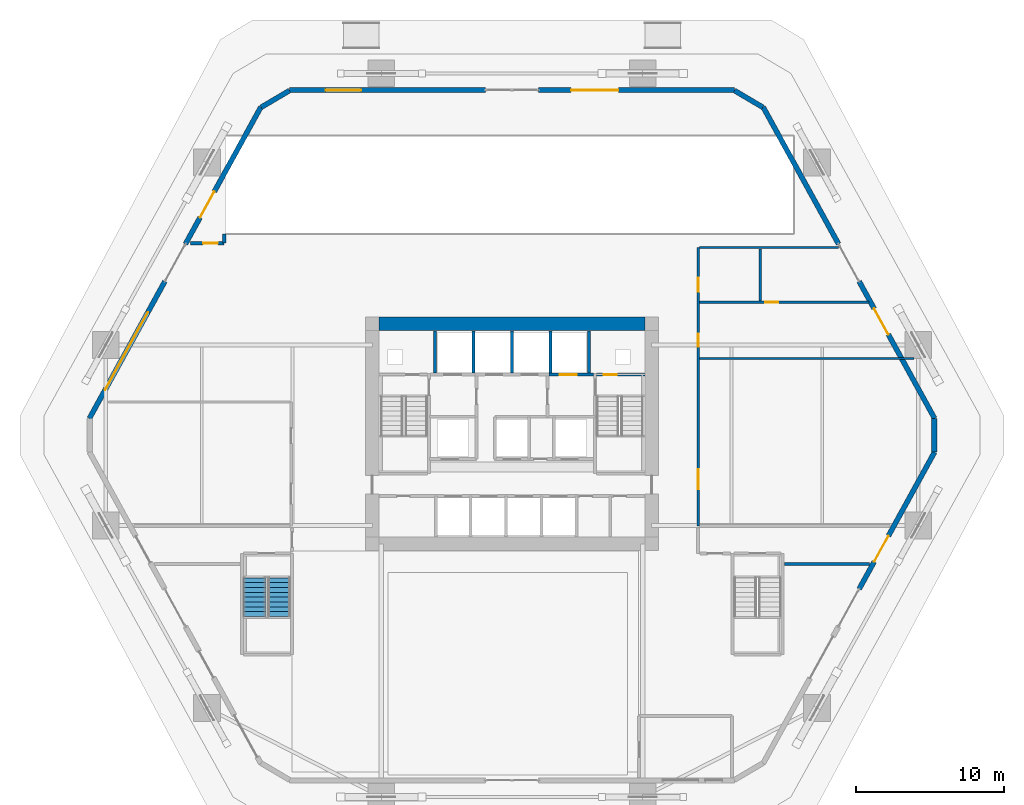
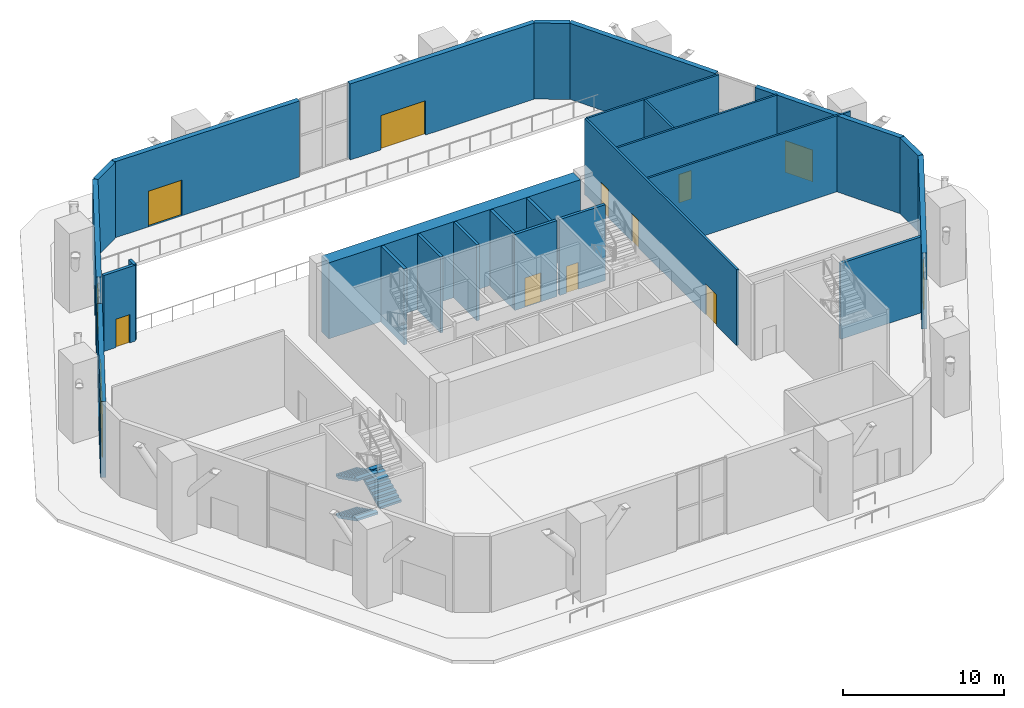
# One storey, part 17 of 22: 26 walls, 13 doors, 3 stair flights, 13 openings, 1 element without a shape of its own.
"""IFC4 building model written with IfcOpenShell, lengths in metres."""

import ifcopenshell
import ifcopenshell.guid

model = None  # the IFC model being written
_history = None  # IfcOwnerHistory: only IFC2X3 demands one
_inside = {}  # id of a spatial element -> (the spatial element, [elements in it])
_under = {}  # id of a project, library or spatial element -> (it, [spatial elements below it])
_declared = {}  # id of a project -> (the project, [libraries it declares])
_typed = {}  # id of a type object -> (the type object, [elements of that type])
_made_of = {}  # id of a material, layer set ... -> (it, [elements and type objects made of it])


def new_model(schema):
    """Start an empty IFC model of exactly this schema.

    Asked for "IFC4X3", IfcOpenShell would pick the latest addendum, in which some entities
    have other attributes; the version numbers below select the first issue.
    IFC2X3 requires an IfcOwnerHistory on every rooted entity: one is made here for all.
    """
    global model, _history
    if schema == "IFC4X3":
        model = ifcopenshell.file(schema_version=(4, 3, 0, 0))
    else:
        model = ifcopenshell.file(schema=schema)
    _inside.clear()
    _under.clear()
    _declared.clear()
    _typed.clear()
    _made_of.clear()
    _history = None
    if model.schema == "IFC2X3":
        org = make("IfcOrganization", Name="unknown")
        user = make(
            "IfcPersonAndOrganization",
            ThePerson=make("IfcPerson", FamilyName="unknown"),
            TheOrganization=org,
        )
        app = make(
            "IfcApplication",
            ApplicationDeveloper=org,
            Version="unknown",
            ApplicationFullName="unknown",
            ApplicationIdentifier="unknown",
        )
        _history = make(
            "IfcOwnerHistory",
            OwningUser=user,
            OwningApplication=app,
            ChangeAction="ADDED",
            CreationDate=0,
        )
    return model


def make(cls, **values):
    """One entity of the class cls with the attributes given. An attribute that is None is left unset."""
    return model.create_entity(
        cls, **{name: value for name, value in values.items() if value is not None}
    )


def rooted(cls, **values):
    """An entity with a GlobalId (a new one), such as an element, a storey or a relation."""
    return make(cls, GlobalId=ifcopenshell.guid.new(), OwnerHistory=_history, **values)


def si_unit(unit_type, name, prefix=None):
    """IfcSIUnit, for example si_unit("LENGTHUNIT", "METRE", prefix="MILLI")."""
    return make("IfcSIUnit", UnitType=unit_type, Prefix=prefix, Name=name)


def assignment(units):
    """IfcUnitAssignment: the units of a project."""
    return None if units is None else make("IfcUnitAssignment", Units=units)


def point(xyz):
    """IfcCartesianPoint."""
    return None if xyz is None else make("IfcCartesianPoint", Coordinates=xyz)


def direction(xyz):
    """IfcDirection."""
    return None if xyz is None else make("IfcDirection", DirectionRatios=xyz)


def frame(location, z_axis=None, x_axis=None):
    """IfcAxis2Placement3D, a coordinate frame: its origin and axes. An axis left out is left unset."""
    return make(
        "IfcAxis2Placement3D",
        Location=point(location),
        Axis=direction(z_axis),
        RefDirection=direction(x_axis),
    )


def frame_2d(location, x_axis=None):
    """IfcAxis2Placement2D, a coordinate frame in the plane: its origin and x axis."""
    return make(
        "IfcAxis2Placement2D", Location=point(location), RefDirection=direction(x_axis)
    )


def origin():
    """The frame at (0, 0, 0) with its axes left unset."""
    return frame((0.0, 0.0, 0.0))


def place(relative_to, where):
    """IfcLocalPlacement: puts the frame where relative to a parent placement (None: the world)."""
    return make(
        "IfcLocalPlacement", PlacementRelTo=relative_to, RelativePlacement=where
    )


def context(
    kind, dimensions, precision=None, world=None, true_north=None, identifier=None
):
    """IfcGeometricRepresentationContext, for example the 3D "Model" context."""
    return make(
        "IfcGeometricRepresentationContext",
        ContextIdentifier=identifier,
        ContextType=kind,
        CoordinateSpaceDimension=dimensions,
        Precision=precision,
        WorldCoordinateSystem=world,
        TrueNorth=true_north,
    )


def subcontext(parent, identifier, kind, view, scale=None):
    """IfcGeometricRepresentationSubContext, for example "Body" below "Model"."""
    return make(
        "IfcGeometricRepresentationSubContext",
        ContextIdentifier=identifier,
        ContextType=kind,
        ParentContext=parent,
        TargetScale=scale,
        TargetView=view,
    )


def project(units=None, contexts=None):
    """IfcProject with its units and contexts."""
    return rooted(
        "IfcProject",
        Name="project",
        RepresentationContexts=contexts,
        UnitsInContext=assignment(units),
    )


def spatial(cls, under=None, at=None, **own):
    """A site, building, storey or space (cls), placed at a placement, below another one or the project."""
    s = rooted(cls, ObjectPlacement=at, **own)
    if under is not None:
        _under.setdefault(under.id(), (under, []))[1].append(s)
    return s


def polyline(points):
    """IfcPolyline through the points."""
    return make("IfcPolyline", Points=[point(p) for p in points])


def profile(cls, at=None, kind="AREA", **sizes):
    """A parametric profile (cls). Its sizes go by their IFC names, for example OverallWidth=200.0."""
    return make(cls, ProfileType=kind, Position=at, **sizes)


def rectangle(**sizes):
    """IfcRectangleProfileDef."""
    return profile("IfcRectangleProfileDef", **sizes)


def outline(outer, holes=None, kind="AREA"):
    """IfcArbitraryClosedProfileDef: a profile drawn as a closed curve; with holes, ...WithVoids."""
    if holes is None:
        return make("IfcArbitraryClosedProfileDef", ProfileType=kind, OuterCurve=outer)
    return make(
        "IfcArbitraryProfileDefWithVoids",
        ProfileType=kind,
        OuterCurve=outer,
        InnerCurves=holes,
    )


def extrude(swept, where, along, depth):
    """IfcExtrudedAreaSolid: the profile swept, set in the frame where, extruded along a direction by depth."""
    return make(
        "IfcExtrudedAreaSolid",
        SweptArea=swept,
        Position=where,
        ExtrudedDirection=direction(along),
        Depth=depth,
    )


def shape(context_of_items, identifier, shape_type, items):
    """IfcShapeRepresentation: the items that make up one representation, for example the "Body"."""
    return make(
        "IfcShapeRepresentation",
        ContextOfItems=context_of_items,
        RepresentationIdentifier=identifier,
        RepresentationType=shape_type,
        Items=items,
    )


def material(Name=None, Category=None):
    """IfcMaterial."""
    return make("IfcMaterial", Name=Name, Category=Category)


def layer(
    of_material, thickness, ventilated=None, Name=None, Category=None, Priority=None
):
    """IfcMaterialLayer: one layer of a wall or slab, of a material (None: an air gap)."""
    return make(
        "IfcMaterialLayer",
        Material=of_material,
        LayerThickness=thickness,
        IsVentilated=ventilated,
        Name=Name,
        Category=Category,
        Priority=Priority,
    )


def layer_set(layers, Name=None):
    """IfcMaterialLayerSet."""
    return make("IfcMaterialLayerSet", MaterialLayers=layers, LayerSetName=Name)


def made_of(thing, what):
    """Note that an element or type object is made of a material, layer set ...; save() writes the relation."""
    if what is not None:
        _made_of.setdefault(what.id(), (what, []))[1].append(thing)
    return thing


def type_object(cls, material=None, **own):
    """A type object (cls), such as IfcWallType, which elements share."""
    return made_of(rooted(cls, **own), material)


def element(
    cls,
    number,
    at=None,
    inside=None,
    cuts=None,
    type_object=None,
    material=None,
    context=None,
    identifier="Body",
    shape_type=None,
    held_by="IfcProductDefinitionShape",
    body=None,
    shapes=None,
    **own,
):
    """One element of the class cls, such as IfcWall. Its Tag is "e" and its number.

    at: its placement. inside: the storey or other place that contains it. cuts: it is an
    opening in that element (IfcRelVoidsElement). A single representation is given by context,
    identifier, shape_type and body (its items); several are given by shapes. held_by: the class
    of the entity that holds the representations. save() writes the other relations.
    """
    e = rooted(cls, Tag="e%d" % number, ObjectPlacement=at, **own)
    if body is not None:
        shapes = [shape(context, identifier, shape_type, body)]
    if shapes is not None:
        e.Representation = make(held_by, Representations=shapes)
    if inside is not None:
        _inside.setdefault(inside.id(), (inside, []))[1].append(e)
    if cuts is not None:
        rooted(
            "IfcRelVoidsElement", RelatingBuildingElement=cuts, RelatedOpeningElement=e
        )
    if type_object is not None:
        _typed.setdefault(type_object.id(), (type_object, []))[1].append(e)
    return made_of(e, material)


def fill(opening, filler):
    """IfcRelFillsElement: the door or window that sits in an opening."""
    return rooted(
        "IfcRelFillsElement",
        RelatingOpeningElement=opening,
        RelatedBuildingElement=filler,
    )


def aggregate(whole, parts):
    """IfcRelAggregates: a whole, such as a stair, and the parts it consists of."""
    return rooted("IfcRelAggregates", RelatingObject=whole, RelatedObjects=parts)


def save(model, path):
    """Write the relations noted so far, then the file.

    IfcRelAggregates (storeys below a building ...), IfcRelContainedInSpatialStructure (elements
    in a storey), IfcRelDefinesByType, IfcRelAssociatesMaterial and IfcRelDeclares: one each for
    every whole, place, type object, material and project.
    """
    for whole, parts in _under.values():
        aggregate(whole, parts)
    for where, things in _inside.values():
        rooted(
            "IfcRelContainedInSpatialStructure",
            RelatedElements=things,
            RelatingStructure=where,
        )
    for kind, things in _typed.values():
        rooted("IfcRelDefinesByType", RelatedObjects=things, RelatingType=kind)
    for what, things in _made_of.values():
        rooted("IfcRelAssociatesMaterial", RelatedObjects=things, RelatingMaterial=what)
    for by, libraries in _declared.values():
        rooted("IfcRelDeclares", RelatingContext=by, RelatedDefinitions=libraries)
    model.write(path)


model = new_model("IFC4")

# Units and contexts
model_context = context("Model", 3, precision=1e-05, world=origin(), true_north=direction((0.0, 1.0)))
body_context = subcontext(model_context, "Body", "Model", "MODEL_VIEW")
ifc_project = project(units=[si_unit("LENGTHUNIT", "METRE"), si_unit("AREAUNIT", "SQUARE_METRE"), si_unit("VOLUMEUNIT", "CUBIC_METRE"), si_unit("PLANEANGLEUNIT", "RADIAN"), si_unit("MASSUNIT", "GRAM", prefix="KILO")], contexts=[model_context])

# Site, building, storey
site_placement = place(None, origin())
site = spatial("IfcSite", under=ifc_project, at=site_placement, CompositionType="ELEMENT")
building_placement = place(site_placement, origin())
building = spatial("IfcBuilding", under=site, at=building_placement, Name="Cinnabar Lancet Tower", CompositionType="ELEMENT")
storey_placement = place(building_placement, origin())
storey = spatial("IfcBuildingStorey", under=building, at=storey_placement, Name="L00", CompositionType="ELEMENT", Elevation=0.0)

# Wall, openings, doors
ifc_material_1 = material(Name="Acoustic twin-stud gypsum partition", Category="gypsum")
ifc_layer_1 = layer(ifc_material_1, 0.159912109375)
ifc_layer_set_1 = layer_set([ifc_layer_1], Name="Acoustic twin-stud gypsum partition")
wall_type_1 = type_object("IfcWallType", Name="ARC-WL-CORR-160", PredefinedType="PARTITIONING", material=ifc_layer_set_1)
wall_1_placement = place(storey_placement, frame((45.0, 19.64990234375, 0.0), z_axis=(0.0, 0.0, 1.0), x_axis=(0.0, 1.0, 0.0)))
wall_1 = element("IfcWall", 1, at=wall_1_placement, inside=storey, type_object=wall_type_1, Name="PW-L00-RETW", PredefinedType="PARTITIONING", context=body_context, shape_type="SweptSolid", body=[
    extrude(rectangle(XDim=18.85009765625, YDim=0.159912109375, at=frame_2d((9.425048828125, 0.0))), origin(), (0.0, 0.0, 1.0), 5.75),
])
opening_1_placement = place(wall_1_placement, frame((2.5, 0.0, 0.0)))
opening_1 = element("IfcOpeningElement", 2, at=opening_1_placement, cuts=wall_1, Name="Opening UD-02", PredefinedType="OPENING", context=body_context, shape_type="SweptSolid", body=[
    extrude(rectangle(XDim=1.35009765625, YDim=2.35009765625, at=frame_2d((0.675048828125, 1.175048828125))), frame((0.0, 0.08984375, 0.0), z_axis=(0.0, -1.0, 0.0), x_axis=(1.0, 0.0, 0.0)), (0.0, 0.0, 1.0), 0.179931640625),
])
opening_2_placement = place(wall_1_placement, frame((12.14990234375, 0.0, 0.0)))
opening_2 = element("IfcOpeningElement", 3, at=opening_2_placement, cuts=wall_1, Name="Opening BD-01", PredefinedType="OPENING", context=body_context, shape_type="SweptSolid", body=[
    extrude(rectangle(XDim=0.860107421875, YDim=2.10009765625, at=frame_2d((0.43017578125, 1.050048828125))), frame((0.0, 0.08984375, 0.0), z_axis=(0.0, -1.0, 0.0), x_axis=(1.0, 0.0, 0.0)), (0.0, 0.0, 1.0), 0.179931640625),
])
opening_3_placement = place(wall_1_placement, frame((15.85009765625, 0.0, 0.0)))
opening_3 = element("IfcOpeningElement", 4, at=opening_3_placement, cuts=wall_1, Name="Opening BD-02", PredefinedType="OPENING", context=body_context, shape_type="SweptSolid", body=[
    extrude(rectangle(XDim=0.9599609375, YDim=2.14990234375, at=frame_2d((0.47998046875, 1.074951171875))), frame((0.0, 0.08984375, 0.0), z_axis=(0.0, -1.0, 0.0), x_axis=(1.0, 0.0, 0.0)), (0.0, 0.0, 1.0), 0.179931640625),
])
ifc_material_2 = material(Name="Accessible wide-leaf washroom door", Category="wood")
door_type_1 = type_object("IfcDoorType", Name="ARC-DR-ACCWC", OperationType="NOTDEFINED", PredefinedType="DOOR", material=ifc_material_2)
door_1_placement = place(opening_3_placement, origin())
door_1 = element("IfcDoor", 5, at=door_1_placement, inside=storey, type_object=door_type_1, Name="DR-L00-ACCWC", OperationType="SINGLE_SWING_RIGHT", OverallHeight=2.14990234375, OverallWidth=0.9599609375, PredefinedType="DOOR", context=body_context, shape_type="SweptSolid", body=[
    extrude(rectangle(XDim=0.9599609375, YDim=2.14990234375, at=frame_2d((0.47998046875, 1.074951171875))), frame((0.0, 0.02490234375, 0.0), z_axis=(0.0, -1.0, 0.0), x_axis=(1.0, 0.0, 0.0)), (0.0, 0.0, 1.0), 0.050048828125),
])
fill(opening_3, door_1)
ifc_material_3 = material(Name="Moisture-resistant timber bathroom door", Category="wood")
door_type_2 = type_object("IfcDoorType", Name="ARC-DR-BATH", OperationType="NOTDEFINED", PredefinedType="DOOR", material=ifc_material_3)
door_2_placement = place(opening_2_placement, origin())
door_2 = element("IfcDoor", 6, at=door_2_placement, inside=storey, type_object=door_type_2, Name="DR-L00-PUBWC", OperationType="SINGLE_SWING_LEFT", OverallHeight=2.10009765625, OverallWidth=0.860107421875, PredefinedType="DOOR", context=body_context, shape_type="SweptSolid", body=[
    extrude(rectangle(XDim=0.860107421875, YDim=2.10009765625, at=frame_2d((0.43017578125, 1.050048828125))), frame((0.0, 0.02490234375, 0.0), z_axis=(0.0, -1.0, 0.0), x_axis=(1.0, 0.0, 0.0)), (0.0, 0.0, 1.0), 0.050048828125),
])
fill(opening_2, door_2)
ifc_material_4 = material(Name="Double-leaf solid timber penthouse entrance door", Category="wood")
door_type_3 = type_object("IfcDoorType", Name="ARC-DR-UNIT-PH", OperationType="NOTDEFINED", PredefinedType="DOOR", material=ifc_material_4)
door_3_placement = place(opening_1_placement, origin())
door_3 = element("IfcDoor", 7, at=door_3_placement, inside=storey, type_object=door_type_3, Name="DR-L00-RET1", OperationType="SINGLE_SWING_RIGHT", OverallHeight=2.35009765625, OverallWidth=1.35009765625, PredefinedType="DOOR", context=body_context, shape_type="SweptSolid", body=[
    extrude(rectangle(XDim=1.35009765625, YDim=2.35009765625, at=frame_2d((0.675048828125, 1.175048828125))), frame((0.0, 0.02490234375, 0.0), z_axis=(0.0, -1.0, 0.0), x_axis=(1.0, 0.0, 0.0)), (0.0, 0.0, 1.0), 0.050048828125),
])
fill(opening_1, door_3)

# Wall, opening, door
ifc_material_5 = material(Name="Acoustic masonry plant room wall", Category="masonry")
ifc_layer_2 = layer(ifc_material_5, 0.219970703125)
ifc_layer_set_2 = layer_set([ifc_layer_2], Name="Acoustic masonry plant room wall")
wall_type_2 = type_object("IfcWallType", Name="ARC-WL-PLANT-220", PredefinedType="PARTITIONING", material=ifc_layer_set_2)
wall_2_placement = place(storey_placement, frame((10.64990234375, 38.800048828125, 0.0), z_axis=(0.0, 0.0, 1.0), x_axis=(1.0, 0.0, 0.0)))
wall_2 = element("IfcWall", 8, at=wall_2_placement, inside=storey, type_object=wall_type_2, Name="PW-L00-RMPS", PredefinedType="PARTITIONING", context=body_context, shape_type="SweptSolid", body=[
    extrude(rectangle(XDim=2.27001953125, YDim=0.219970703125, at=frame_2d((1.135009765625, 0.0))), origin(), (0.0, 0.0, 1.0), 5.75),
])
opening_4_placement = place(wall_2_placement, frame((0.85009765625, 0.0, 0.0)))
opening_4 = element("IfcOpeningElement", 9, at=opening_4_placement, cuts=wall_2, Name="Opening FD-01", PredefinedType="OPENING", context=body_context, shape_type="SweptSolid", body=[
    extrude(rectangle(XDim=1.0, YDim=2.14990234375, at=frame_2d((0.5, 1.074951171875))), frame((0.0, 0.119873046875, 0.0), z_axis=(0.0, -1.0, 0.0), x_axis=(1.0, 0.0, 0.0)), (0.0, 0.0, 1.0), 0.239990234375),
])
ifc_material_6 = material(Name="Fire-rated timber-core lobby door", Category="wood")
door_type_4 = type_object("IfcDoorType", Name="ARC-DR-FFAL", OperationType="NOTDEFINED", PredefinedType="DOOR", material=ifc_material_6)
door_4_placement = place(opening_4_placement, origin())
door_4 = element("IfcDoor", 10, at=door_4_placement, inside=storey, type_object=door_type_4, Name="L00 Vehicle Ramp Pedestrian Exit Fire Door", OperationType="SINGLE_SWING_LEFT", OverallHeight=2.14990234375, OverallWidth=1.0, PredefinedType="DOOR", context=body_context, shape_type="SweptSolid", body=[
    extrude(rectangle(XDim=1.0, YDim=2.14990234375, at=frame_2d((0.5, 1.074951171875))), frame((0.0, 0.02490234375, 0.0), z_axis=(0.0, -1.0, 0.0), x_axis=(1.0, 0.0, 0.0)), (0.0, 0.0, 1.0), 0.050048828125),
])
fill(opening_4, door_4)

# Wall
wall_3_placement = place(storey_placement, frame((12.919921875, 38.800048828125, 0.0), z_axis=(0.0, 0.0, 1.0), x_axis=(0.0, 1.0, 0.0)))
element("IfcWall", 11, at=wall_3_placement, inside=storey, type_object=wall_type_2, Name="PW-L00-RMPE", PredefinedType="PARTITIONING", context=body_context, shape_type="SweptSolid", body=[
    extrude(rectangle(XDim=0.619873046875, YDim=0.219970703125, at=frame_2d((0.31005859375, 0.0))), origin(), (0.0, 0.0, 1.0), 5.75),
])

# Wall, opening, door
ifc_material_7 = material(Name="Autoclaved aerated concrete blockwork", Category="masonry")
ifc_layer_3 = layer(ifc_material_7, 0.199951171875)
ifc_layer_set_3 = layer_set([ifc_layer_3], Name="Autoclaved aerated concrete blockwork")
wall_type_3 = type_object("IfcWallType", Name="ARC-WL-SHAFT-200", PredefinedType="PLUMBINGWALL", material=ifc_layer_set_3)
wall_4_placement = place(storey_placement, frame((34.89990234375, 29.89990234375, 0.0), z_axis=(0.0, 0.0, 1.0), x_axis=(1.0, 0.0, 0.0)))
wall_4 = element("IfcWall", 12, at=wall_4_placement, inside=storey, type_object=wall_type_3, Name="CW-FL2-L00", PredefinedType="PLUMBINGWALL", context=body_context, shape_type="SweptSolid", body=[
    extrude(rectangle(XDim=3.01513671875, YDim=0.199951171875, at=frame_2d((1.507568359375, 0.0))), origin(), (0.0, 0.0, 1.0), 5.75),
])
opening_5_placement = place(wall_4_placement, frame((0.72509765625, 0.0, 0.0)))
opening_5 = element("IfcOpeningElement", 13, at=opening_5_placement, cuts=wall_4, Name="Opening LD-02", PredefinedType="OPENING", context=body_context, shape_type="SweptSolid", body=[
    extrude(rectangle(XDim=1.14990234375, YDim=2.199951171875, at=frame_2d((0.574951171875, 1.10009765625))), frame((0.0, 0.10986328125, 0.0), z_axis=(0.0, -1.0, 0.0), x_axis=(1.0, 0.0, 0.0)), (0.0, 0.0, 1.0), 0.219970703125),
])
ifc_material_8 = material(Name="Fire-rated stainless steel firefighting lift landing door", Category="steel")
door_type_5 = type_object("IfcDoorType", Name="ARC-DR-LD-FIRE", OperationType="NOTDEFINED", PredefinedType="DOOR", material=ifc_material_8)
door_5_placement = place(opening_5_placement, origin())
door_5 = element("IfcDoor", 14, at=door_5_placement, inside=storey, type_object=door_type_5, Name="L00 Firefighting Lift FL-2 Landing Door", OperationType="DOUBLE_DOOR_SLIDING", OverallHeight=2.199951171875, OverallWidth=1.14990234375, PredefinedType="DOOR", context=body_context, shape_type="SweptSolid", body=[
    extrude(rectangle(XDim=1.14990234375, YDim=2.199951171875, at=frame_2d((0.574951171875, 1.10009765625))), frame((0.0, 0.02490234375, 0.0), z_axis=(0.0, -1.0, 0.0), x_axis=(1.0, 0.0, 0.0)), (0.0, 0.0, 1.0), 0.050048828125),
])
fill(opening_5, door_5)

wall_5_placement = place(storey_placement, frame((38.125, 29.89990234375, 0.0), z_axis=(0.0, 0.0, 1.0), x_axis=(1.0, 0.0, 0.0)))
wall_5 = element("IfcWall", 15, at=wall_5_placement, inside=storey, type_object=wall_type_3, Name="CW-NSH-E-L00", PredefinedType="PLUMBINGWALL", context=body_context, shape_type="SweptSolid", body=[
    extrude(rectangle(XDim=3.27001953125, YDim=0.199951171875, at=frame_2d((1.635009765625, 0.0))), origin(), (0.0, 0.0, 1.0), 5.75),
])
opening_6_placement = place(wall_5_placement, frame((0.5, 0.0, 0.0)))
opening_6 = element("IfcOpeningElement", 16, at=opening_6_placement, cuts=wall_5, Name="Opening PD-02", PredefinedType="OPENING", context=body_context, shape_type="SweptSolid", body=[
    extrude(rectangle(XDim=0.85009765625, YDim=2.050048828125, at=frame_2d((0.425048828125, 1.02490234375))), frame((0.0, 0.10986328125, 0.0), z_axis=(0.0, -1.0, 0.0), x_axis=(1.0, 0.0, 0.0)), (0.0, 0.0, 1.0), 0.219970703125),
])
ifc_material_9 = material(Name="Fire-rated steel riser access door", Category="steel")
door_type_6 = type_object("IfcDoorType", Name="ARC-DR-RISER", OperationType="NOTDEFINED", PredefinedType="DOOR", material=ifc_material_9)
door_6_placement = place(opening_6_placement, origin())
door_6 = element("IfcDoor", 17, at=door_6_placement, inside=storey, type_object=door_type_6, Name="L00 East Riser Access Door", OperationType="SINGLE_SWING_RIGHT", OverallHeight=2.050048828125, OverallWidth=0.85009765625, PredefinedType="DOOR", context=body_context, shape_type="SweptSolid", body=[
    extrude(rectangle(XDim=0.85009765625, YDim=2.050048828125, at=frame_2d((0.425048828125, 1.02490234375))), frame((0.0, 0.02490234375, 0.0), z_axis=(0.0, -1.0, 0.0), x_axis=(1.0, 0.0, 0.0)), (0.0, 0.0, 1.0), 0.050048828125),
])
fill(opening_6, door_6)

# Walls
for number, where, z_axis, x_axis, name in (
    (18, (27.199951171875, 30.0, 0.0), (0.0, 0.0, 1.0), (0.0, 1.0, 0.0), "CW-NSH-D1-L00"),
    (19, (29.800048828125, 30.0, 0.0), (0.0, 0.0, 1.0), (0.0, 1.0, 0.0), "CW-NSH-D2-L00"),
    (20, (32.39990234375, 30.0, 0.0), (0.0, 0.0, 1.0), (0.0, 1.0, 0.0), "CW-NSH-D3-L00"),
    (21, (35.0, 30.0, 0.0), (0.0, 0.0, 1.0), (0.0, 1.0, 0.0), "CW-NSH-D4-L00"),
    (22, (37.60009765625, 30.0, 0.0), (0.0, 0.0, 1.0), (0.0, 1.0, 0.0), "CW-NSH-D5-L00"),
):
    element("IfcWall", number, at=place(storey_placement, frame(where, z_axis=z_axis, x_axis=x_axis)), inside=storey, type_object=wall_type_3, Name=name, PredefinedType="PLUMBINGWALL", context=body_context, shape_type="SweptSolid", body=[
        extrude(rectangle(XDim=2.85009765625, YDim=0.199951171875, at=frame_2d((1.425048828125, 0.0))), origin(), (0.0, 0.0, 1.0), 5.75),
    ])
wall_6_placement = place(storey_placement, frame((50.840087890625, 17.10009765625, 0.0), z_axis=(0.0, 0.0, 1.0), x_axis=(1.0, 0.0, 0.0)))
element("IfcWall", 23, at=wall_6_placement, inside=storey, type_object=wall_type_3, Name="PW-L00-EX4S", PredefinedType="PLUMBINGWALL", context=body_context, shape_type="SweptSolid", body=[
    extrude(rectangle(XDim=5.739990234375, YDim=0.199951171875, at=frame_2d((2.8701171875, 0.0))), origin(), (0.0, 0.0, 1.0), 5.75),
])
ifc_material_10 = material(Name="Moisture-resistant cement-board plumbing wall", Category="masonry")
ifc_layer_4 = layer(ifc_material_10, 0.139892578125)
ifc_layer_set_4 = layer_set([ifc_layer_4], Name="Moisture-resistant cement-board plumbing wall")
wall_type_4 = type_object("IfcWallType", Name="ARC-WL-WET-140", PredefinedType="PLUMBINGWALL", material=ifc_layer_set_4)
wall_7_placement = place(storey_placement, frame((45.0849609375, 31.0, 0.0), z_axis=(0.0, 0.0, 1.0), x_axis=(1.0, 0.0, 0.0)))
element("IfcWall", 24, at=wall_7_placement, inside=storey, type_object=wall_type_4, Name="PW-L00-RETM", PredefinedType="PLUMBINGWALL", context=body_context, shape_type="SweptSolid", body=[
    extrude(rectangle(XDim=14.51513671875, YDim=0.139892578125, at=frame_2d((7.257568359375, 0.0))), origin(), (0.0, 0.0, 1.0), 5.75),
])

# Wall, opening, door
wall_8_placement = place(storey_placement, frame((45.0849609375, 34.800048828125, 0.0), z_axis=(0.0, 0.0, 1.0), x_axis=(1.0, 0.0, 0.0)))
wall_8 = element("IfcWall", 25, at=wall_8_placement, inside=storey, type_object=wall_type_4, Name="PW-L00-WCDIV", PredefinedType="PLUMBINGWALL", context=body_context, shape_type="SweptSolid", body=[
    extrude(rectangle(XDim=11.465087890625, YDim=0.139892578125, at=frame_2d((5.732421875, 0.0))), origin(), (0.0, 0.0, 1.0), 5.75),
])
opening_7_placement = place(wall_8_placement, frame((4.449951171875, 0.0, 0.0)))
opening_7 = element("IfcOpeningElement", 26, at=opening_7_placement, cuts=wall_8, Name="Opening RD-02", PredefinedType="OPENING", context=body_context, shape_type="SweptSolid", body=[
    extrude(rectangle(XDim=0.8798828125, YDim=2.14990234375, at=frame_2d((0.43994140625, 1.074951171875))), frame((0.0, 0.079833984375, 0.0), z_axis=(0.0, -1.0, 0.0), x_axis=(1.0, 0.0, 0.0)), (0.0, 0.0, 1.0), 0.159912109375),
])
ifc_material_11 = material(Name="Engineered timber study door", Category="wood")
door_type_7 = type_object("IfcDoorType", Name="ARC-DR-STUDY", OperationType="NOTDEFINED", PredefinedType="DOOR", material=ifc_material_11)
door_7_placement = place(opening_7_placement, origin())
door_7 = element("IfcDoor", 27, at=door_7_placement, inside=storey, type_object=door_type_7, Name="DR-L00-CLNST", OperationType="SINGLE_SWING_LEFT", OverallHeight=2.14990234375, OverallWidth=0.8798828125, PredefinedType="DOOR", context=body_context, shape_type="SweptSolid", body=[
    extrude(rectangle(XDim=0.8798828125, YDim=2.14990234375, at=frame_2d((0.43994140625, 1.074951171875))), frame((0.0, 0.02490234375, 0.0), z_axis=(0.0, -1.0, 0.0), x_axis=(1.0, 0.0, 0.0)), (0.0, 0.0, 1.0), 0.050048828125),
])
fill(opening_7, door_7)

# Walls
wall_9_placement = place(storey_placement, frame((45.0849609375, 38.5, 0.0), z_axis=(0.0, 0.0, 1.0), x_axis=(1.0, 0.0, 0.0)))
element("IfcWall", 28, at=wall_9_placement, inside=storey, type_object=wall_type_4, Name="PW-L00-RETN", PredefinedType="PLUMBINGWALL", context=body_context, shape_type="SweptSolid", body=[
    extrude(rectangle(XDim=9.4150390625, YDim=0.139892578125, at=frame_2d((4.70751953125, 0.0))), origin(), (0.0, 0.0, 1.0), 5.75),
])
wall_10_placement = place(storey_placement, frame((49.199951171875, 34.885009765625, 0.0), z_axis=(0.0, 0.0, 1.0), x_axis=(0.0, 1.0, 0.0)))
element("IfcWall", 29, at=wall_10_placement, inside=storey, type_object=wall_type_4, Name="PW-L00-ACCE", PredefinedType="PLUMBINGWALL", context=body_context, shape_type="SweptSolid", body=[
    extrude(rectangle(XDim=3.530029296875, YDim=0.139892578125, at=frame_2d((1.76513671875, 0.0))), origin(), (0.0, 0.0, 1.0), 5.75),
])
ifc_material_12 = material(Name="Cinnabar red clay brick", Category="masonry")
ifc_layer_5 = layer(ifc_material_12, 0.340087890625)
ifc_layer_set_5 = layer_set([ifc_layer_5], Name="Cinnabar red clay brick")
wall_type_5 = type_object("IfcWallType", Name="ENV-WL-BRK-RED-340", PredefinedType="STANDARD", material=ifc_layer_set_5)
wall_11_placement = place(storey_placement, frame((60.97412109375, 26.93505859375, 0.0), z_axis=(0.0, 0.0, 1.0), x_axis=(0.0, -1.0, 0.0)))
element("IfcWall", 30, at=wall_11_placement, inside=storey, type_object=wall_type_5, Name="L00 Chamfered Corner Brick Pier 3.1", PredefinedType="STANDARD", context=body_context, shape_type="SweptSolid", body=[
    extrude(rectangle(XDim=2.27001953125, YDim=0.340087890625, at=frame_2d((1.135009765625, 0.0))), origin(), (0.0, 0.0, 1.0), 5.75),
])
for number, where, z_axis, x_axis, name in (
    (31, (47.4580078125, 49.125, 0.0), (0.0, 0.0, 1.0), (0.860869773534, -0.508825346278, 0.0), "L00 Chamfered Corner Brick Pier 4.1"),
    (32, (15.425048828125, 47.991943359375, 0.0), (0.0, 0.0, 1.0), (0.860869773534, 0.508825346278, 0.0), "L00 Chamfered Corner Brick Pier 5.1"),
):
    element("IfcWall", number, at=place(storey_placement, frame(where, z_axis=z_axis, x_axis=x_axis)), inside=storey, type_object=wall_type_5, Name=name, PredefinedType="STANDARD", context=body_context, shape_type="SweptSolid", body=[
        extrude(rectangle(XDim=2.226806640625, YDim=0.340087890625, at=frame_2d((1.11328125, 0.0))), origin(), (0.0, 0.0, 1.0), 5.75),
    ])

# Wall, opening, door
wall_12_placement = place(storey_placement, frame((60.99609375, 24.657958984375, 0.0), z_axis=(0.0, 0.0, 1.0), x_axis=(-0.482427040838, -0.875936156502, 0.0)))
wall_12 = element("IfcWall", 33, at=wall_12_placement, inside=storey, type_object=wall_type_5, Name="L00 Face 2 Left Brick Wall", PredefinedType="STANDARD", context=body_context, shape_type="SweptSolid", body=[
    extrude(rectangle(XDim=10.581787109375, YDim=0.340087890625, at=frame_2d((5.291015625, 0.0))), origin(), (0.0, 0.0, 1.0), 5.75),
])
opening_8_placement = place(wall_12_placement, frame((6.469970703125, 0.0, 0.0)))
opening_8 = element("IfcOpeningElement", 34, at=opening_8_placement, cuts=wall_12, Name="Opening ED-01", PredefinedType="OPENING", context=body_context, shape_type="SweptSolid", body=[
    extrude(rectangle(XDim=2.0, YDim=2.39990234375, at=frame_2d((1.0, 1.199951171875))), frame((0.0, 0.179931640625, 0.0), z_axis=(0.0, -1.0, 0.0), x_axis=(1.0, 0.0, 0.0)), (0.0, 0.0, 1.0), 0.360107421875),
])
ifc_material_13 = material(Name="Outward-swinging thermally broken aluminium final exit double door", Category="aluminium")
door_type_8 = type_object("IfcDoorType", Name="ARC-DR-EXIT-EXT", OperationType="NOTDEFINED", PredefinedType="DOOR", material=ifc_material_13)
door_8_placement = place(opening_8_placement, origin())
door_8 = element("IfcDoor", 35, at=door_8_placement, inside=storey, type_object=door_type_8, Name="L00 Face 2 Outward Final Exit Door", OperationType="DOUBLE_DOOR_SINGLE_SWING", OverallHeight=2.39990234375, OverallWidth=2.0, PredefinedType="DOOR", context=body_context, shape_type="SweptSolid", body=[
    extrude(rectangle(XDim=2.0, YDim=2.39990234375, at=frame_2d((1.0, 1.199951171875))), frame((0.0, 0.02490234375, 0.0), z_axis=(0.0, -1.0, 0.0), x_axis=(1.0, 0.0, 0.0)), (0.0, 0.0, 1.0), 0.050048828125),
])
fill(opening_8, door_8)

# Wall
wall_13_placement = place(storey_placement, frame((49.39501953125, 48.008056640625, 0.0), z_axis=(0.0, 0.0, 1.0), x_axis=(0.482427040838, -0.875936156502, 0.0)))
element("IfcWall", 36, at=wall_13_placement, inside=storey, type_object=wall_type_5, Name="L00 Face 3 Left Brick Wall", PredefinedType="STANDARD", context=body_context, shape_type="SweptSolid", body=[
    extrude(rectangle(XDim=10.581787109375, YDim=0.340087890625, at=frame_2d((5.291015625, 0.0))), origin(), (0.0, 0.0, 1.0), 5.75),
])

# Wall, opening, door
wall_14_placement = place(storey_placement, frame((55.89208984375, 36.2109375, 0.0), z_axis=(0.0, 0.0, 1.0), x_axis=(0.48235622808, -0.875975153319, 0.0)))
wall_14 = element("IfcWall", 37, at=wall_14_placement, inside=storey, type_object=wall_type_5, Name="L00 Face 3 Right Brick Wall", PredefinedType="STANDARD", context=body_context, shape_type="SweptSolid", body=[
    extrude(rectangle(XDim=10.581298828125, YDim=0.340087890625, at=frame_2d((5.29052734375, 0.0))), origin(), (0.0, 0.0, 1.0), 5.75),
])
opening_9_placement = place(wall_14_placement, frame((2.10009765625, 0.0, 0.0)))
opening_9 = element("IfcOpeningElement", 38, at=opening_9_placement, cuts=wall_14, Name="Opening ED-01", PredefinedType="OPENING", context=body_context, shape_type="SweptSolid", body=[
    extrude(rectangle(XDim=2.0, YDim=2.39990234375, at=frame_2d((1.0, 1.199951171875))), frame((0.0, 0.179931640625, 0.0), z_axis=(0.0, -1.0, 0.0), x_axis=(1.0, 0.0, 0.0)), (0.0, 0.0, 1.0), 0.360107421875),
])
door_9_placement = place(opening_9_placement, origin())
door_9 = element("IfcDoor", 39, at=door_9_placement, inside=storey, type_object=door_type_8, Name="L00 Face 3 Outward Final Exit Door", OperationType="DOUBLE_DOOR_SINGLE_SWING", OverallHeight=2.39990234375, OverallWidth=2.0, PredefinedType="DOOR", context=body_context, shape_type="SweptSolid", body=[
    extrude(rectangle(XDim=2.0, YDim=2.39990234375, at=frame_2d((1.0, 1.199951171875))), frame((0.0, 0.02490234375, 0.0), z_axis=(0.0, -1.0, 0.0), x_axis=(1.0, 0.0, 0.0)), (0.0, 0.0, 1.0), 0.050048828125),
])
fill(opening_9, door_9)

wall_15_placement = place(storey_placement, frame((17.337890625, 49.14990234375, 0.0), z_axis=(0.0, 0.0, 1.0), x_axis=(1.0, 0.0, 0.0)))
wall_15 = element("IfcWall", 40, at=wall_15_placement, inside=storey, type_object=wall_type_5, Name="L00 Face 4 Left Brick Wall", PredefinedType="STANDARD", context=body_context, shape_type="SweptSolid", body=[
    extrude(rectangle(XDim=13.255126953125, YDim=0.340087890625, at=frame_2d((6.62744140625, 0.0))), origin(), (0.0, 0.0, 1.0), 5.75),
])
opening_10_placement = place(wall_15_placement, frame((2.449951171875, 0.0, 0.0)))
opening_10 = element("IfcOpeningElement", 41, at=opening_10_placement, cuts=wall_15, Name="Opening ED-02", PredefinedType="OPENING", context=body_context, shape_type="SweptSolid", body=[
    extrude(rectangle(XDim=2.39990234375, YDim=2.699951171875, at=frame_2d((1.199951171875, 1.35009765625))), frame((0.0, 0.179931640625, 0.0), z_axis=(0.0, -1.0, 0.0), x_axis=(1.0, 0.0, 0.0)), (0.0, 0.0, 1.0), 0.360107421875),
])
ifc_material_14 = material(Name="Glazed bronze-anodized aluminium main entrance double door", Category="aluminium")
door_type_9 = type_object("IfcDoorType", Name="ARC-DR-LOBBY-EXT", OperationType="NOTDEFINED", PredefinedType="DOOR", material=ifc_material_14)
door_10_placement = place(opening_10_placement, origin())
door_10 = element("IfcDoor", 42, at=door_10_placement, inside=storey, type_object=door_type_9, Name="L00 Face 4 Outward Final Exit Door", OperationType="DOUBLE_DOOR_SINGLE_SWING", OverallHeight=2.699951171875, OverallWidth=2.39990234375, PredefinedType="DOOR", context=body_context, shape_type="SweptSolid", body=[
    extrude(rectangle(XDim=2.39990234375, YDim=2.699951171875, at=frame_2d((1.199951171875, 1.35009765625))), frame((0.0, 0.02490234375, 0.0), z_axis=(0.0, -1.0, 0.0), x_axis=(1.0, 0.0, 0.0)), (0.0, 0.0, 1.0), 0.050048828125),
])
fill(opening_10, door_10)

wall_16_placement = place(storey_placement, frame((34.20703125, 49.14990234375, 0.0), z_axis=(0.0, 0.0, 1.0), x_axis=(1.0, 0.0, 0.0)))
wall_16 = element("IfcWall", 43, at=wall_16_placement, inside=storey, type_object=wall_type_5, Name="L00 Face 4 Right Brick Wall", PredefinedType="STANDARD", context=body_context, shape_type="SweptSolid", body=[
    extrude(rectangle(XDim=13.2548828125, YDim=0.340087890625, at=frame_2d((6.62744140625, 0.0))), origin(), (0.0, 0.0, 1.0), 5.75),
])
opening_11_placement = place(wall_16_placement, frame((2.199951171875, 0.0, 0.0)))
opening_11 = element("IfcOpeningElement", 44, at=opening_11_placement, cuts=wall_16, Name="Opening SG-02", PredefinedType="OPENING", context=body_context, shape_type="SweptSolid", body=[
    extrude(rectangle(XDim=3.199951171875, YDim=2.60009765625, at=frame_2d((1.60009765625, 1.300048828125))), frame((0.0, 0.179931640625, 0.0), z_axis=(0.0, -1.0, 0.0), x_axis=(1.0, 0.0, 0.0)), (0.0, 0.0, 1.0), 0.360107421875),
])
ifc_material_15 = material(Name="Galvanized steel loading and plant service gate", Category="steel")
door_type_10 = type_object("IfcDoorType", Name="ARC-DR-SRV-GATE", OperationType="NOTDEFINED", PredefinedType="GATE", material=ifc_material_15)
door_11_placement = place(opening_11_placement, origin())
door_11 = element("IfcDoor", 45, at=door_11_placement, inside=storey, type_object=door_type_10, Name="L00 Face 4 Service Gate", OperationType="DOUBLE_DOOR_SINGLE_SWING", OverallHeight=2.60009765625, OverallWidth=3.199951171875, PredefinedType="GATE", context=body_context, shape_type="SweptSolid", body=[
    extrude(rectangle(XDim=3.199951171875, YDim=2.60009765625, at=frame_2d((1.60009765625, 1.300048828125))), frame((0.0, 0.02490234375, 0.0), z_axis=(0.0, -1.0, 0.0), x_axis=(1.0, 0.0, 0.0)), (0.0, 0.0, 1.0), 0.050048828125),
])
fill(opening_11, door_11)

wall_17_placement = place(storey_placement, frame((3.803955078125, 26.94189453125, 0.0), z_axis=(0.0, 0.0, 1.0), x_axis=(0.482427040838, 0.875936156502, 0.0)))
wall_17 = element("IfcWall", 46, at=wall_17_placement, inside=storey, type_object=wall_type_5, Name="L00 Face 5 Left Brick Wall", PredefinedType="STANDARD", context=body_context, shape_type="SweptSolid", body=[
    extrude(rectangle(XDim=10.581787109375, YDim=0.340087890625, at=frame_2d((5.291015625, 0.0))), origin(), (0.0, 0.0, 1.0), 5.75),
])
opening_12_placement = place(wall_17_placement, frame((2.199951171875, 0.0, 0.0)))
opening_12 = element("IfcOpeningElement", 47, at=opening_12_placement, cuts=wall_17, Name="Opening VS-01", PredefinedType="OPENING", context=body_context, shape_type="SweptSolid", body=[
    extrude(rectangle(XDim=6.0, YDim=3.199951171875, at=frame_2d((3.0, 1.60009765625))), frame((0.0, 0.179931640625, 0.0), z_axis=(0.0, -1.0, 0.0), x_axis=(1.0, 0.0, 0.0)), (0.0, 0.0, 1.0), 0.360107421875),
])
ifc_material_16 = material(Name="Perforated galvanized steel motorized roller shutter gate", Category="steel")
door_type_11 = type_object("IfcDoorType", Name="ARC-DR-VEH-SHUTTER", OperationType="NOTDEFINED", PredefinedType="GATE", material=ifc_material_16)
door_12_placement = place(opening_12_placement, origin())
door_12 = element("IfcDoor", 48, at=door_12_placement, inside=storey, type_object=door_type_11, Name="VS-01 Vehicle Roller Shutter Gate", OperationType="ROLLINGUP", OverallHeight=3.199951171875, OverallWidth=6.0, PredefinedType="GATE", context=body_context, shape_type="SweptSolid", body=[
    extrude(rectangle(XDim=6.0, YDim=3.199951171875, at=frame_2d((3.0, 1.60009765625))), frame((0.0, 0.02490234375, 0.0), z_axis=(0.0, -1.0, 0.0), x_axis=(1.0, 0.0, 0.0)), (0.0, 0.0, 1.0), 0.050048828125),
])
fill(opening_12, door_12)

wall_18_placement = place(storey_placement, frame((10.301025390625, 38.739013671875, 0.0), z_axis=(0.0, 0.0, 1.0), x_axis=(0.48235622808, 0.875975153319, 0.0)))
wall_18 = element("IfcWall", 49, at=wall_18_placement, inside=storey, type_object=wall_type_5, Name="L00 Face 5 Right Brick Wall", PredefinedType="STANDARD", context=body_context, shape_type="SweptSolid", body=[
    extrude(rectangle(XDim=10.581298828125, YDim=0.340087890625, at=frame_2d((5.29052734375, 0.0))), origin(), (0.0, 0.0, 1.0), 5.75),
])
opening_13_placement = place(wall_18_placement, frame((2.050048828125, 0.0, 0.0)))
opening_13 = element("IfcOpeningElement", 50, at=opening_13_placement, cuts=wall_18, Name="Opening ED-01", PredefinedType="OPENING", context=body_context, shape_type="SweptSolid", body=[
    extrude(rectangle(XDim=2.0, YDim=2.39990234375, at=frame_2d((1.0, 1.199951171875))), frame((0.0, 0.179931640625, 0.0), z_axis=(0.0, -1.0, 0.0), x_axis=(1.0, 0.0, 0.0)), (0.0, 0.0, 1.0), 0.360107421875),
])
door_13_placement = place(opening_13_placement, origin())
door_13 = element("IfcDoor", 51, at=door_13_placement, inside=storey, type_object=door_type_8, Name="L00 NW Outward Final Exit Door", OperationType="DOUBLE_DOOR_SINGLE_SWING", OverallHeight=2.39990234375, OverallWidth=2.0, PredefinedType="DOOR", context=body_context, shape_type="SweptSolid", body=[
    extrude(rectangle(XDim=2.0, YDim=2.39990234375, at=frame_2d((1.0, 1.199951171875))), frame((0.0, 0.02490234375, 0.0), z_axis=(0.0, -1.0, 0.0), x_axis=(1.0, 0.0, 0.0)), (0.0, 0.0, 1.0), 0.050048828125),
])
fill(opening_13, door_13)

# Wall
ifc_material_17 = material(Name="Concrete C80/95", Category="concrete")
ifc_layer_6 = layer(ifc_material_17, 0.89990234375)
ifc_layer_set_6 = layer_set([ifc_layer_6], Name="Concrete C80/95")
wall_type_6 = type_object("IfcWallType", Name="STR-WL-CORE-900", PredefinedType="SHEAR", material=ifc_layer_set_6)
wall_19_placement = place(storey_placement, frame((23.39990234375, 33.35009765625, 0.0), z_axis=(0.0, 0.0, 1.0), x_axis=(1.0, 0.0, 0.0)))
element("IfcWall", 52, at=wall_19_placement, inside=storey, type_object=wall_type_6, Name="L00 Core Shear Wall N", PredefinedType="SHEAR", context=body_context, shape_type="SweptSolid", body=[
    extrude(rectangle(XDim=18.0, YDim=0.89990234375, at=frame_2d((9.0, 0.0))), origin(), (0.0, 0.0, 1.0), 5.75),
])

# Stair, stair flights
ifc_material_18 = material(Name="Concrete C40/50", Category="concrete")
stair_type = type_object("IfcStairType", Name="ST-POD", PredefinedType="HALF_TURN_STAIR", material=ifc_material_18)
stair_placement = place(storey_placement, origin())
stair = element("IfcStair", 53, at=stair_placement, inside=storey, type_object=stair_type, Name="L00 ST-3", PredefinedType="HALF_TURN_STAIR")
ifc_material_19 = material(Name="Concrete C40/50", Category="concrete")
stair_flight_type = type_object("IfcStairFlightType", Name="FLIGHT-POD", PredefinedType="STRAIGHT", material=ifc_material_19)
stair_flight_1_placement = place(storey_placement, frame((14.985107421875, 16.14990234375, 0.0), z_axis=(0.0, 0.0, 1.0), x_axis=(0.0, -1.0, 0.0)))
stair_flight_1 = element("IfcStairFlight", 54, at=stair_flight_1_placement, type_object=stair_flight_type, Name="ST-3 flight 1", NumberOfRisers=9, NumberOfTreads=8, PredefinedType="STRAIGHT", RiserHeight=0.166666667, TreadLength=0.3268, context=body_context, shape_type="SweptSolid", body=[
    extrude(outline(polyline([(0.0, 0.0), (0.0, 0.166748046875), (0.326904296875, 0.166748046875), (0.326904296875, 0.333251953125), (0.653564453125, 0.333251953125), (0.653564453125, 0.5), (0.98046875, 0.5), (0.98046875, 0.666748046875), (1.30712890625, 0.666748046875), (1.30712890625, 0.833251953125), (1.634033203125, 0.833251953125), (1.634033203125, 1.0), (1.960693359375, 1.0), (1.960693359375, 1.166748046875), (2.28759765625, 1.166748046875), (2.28759765625, 1.333251953125), (2.614501953125, 1.333251953125), (2.614501953125, 1.5), (2.614501953125, 1.1650390625), (0.329833984375, 0.0), (0.0, 0.0)])), frame((0.0, 0.760009765625, 0.0), z_axis=(0.0, -1.0, 0.0), x_axis=(1.0, 0.0, 0.0)), (0.0, 0.0, 1.0), 1.52001953125),
])
stair_flight_2_placement = place(storey_placement, frame((16.655029296875, 13.53564453125, 1.5), z_axis=(0.0, 0.0, 1.0), x_axis=(0.0, 1.0, 0.0)))
stair_flight_2 = element("IfcStairFlight", 55, at=stair_flight_2_placement, type_object=stair_flight_type, Name="ST-3 flight 2", NumberOfRisers=9, NumberOfTreads=8, PredefinedType="STRAIGHT", RiserHeight=0.166666667, TreadLength=0.3268, context=body_context, shape_type="SweptSolid", body=[
    extrude(outline(polyline([(0.0, 0.0), (0.0, 0.166748046875), (0.326904296875, 0.166748046875), (0.326904296875, 0.333251953125), (0.653564453125, 0.333251953125), (0.653564453125, 0.5), (0.98046875, 0.5), (0.98046875, 0.666748046875), (1.30712890625, 0.666748046875), (1.30712890625, 0.833251953125), (1.634033203125, 0.833251953125), (1.634033203125, 1.0), (1.960693359375, 1.0), (1.960693359375, 1.166748046875), (2.28759765625, 1.166748046875), (2.28759765625, 1.333251953125), (2.614501953125, 1.333251953125), (2.614501953125, 1.5), (2.614501953125, 1.1650390625), (0.329833984375, 0.0), (0.0, 0.0)])), frame((0.0, 0.760009765625, 0.0), z_axis=(0.0, -1.0, 0.0), x_axis=(1.0, 0.0, 0.0)), (0.0, 0.0, 1.0), 1.52001953125),
])
stair_flight_3_placement = place(storey_placement, frame((14.985107421875, 16.14990234375, 3.0), z_axis=(0.0, 0.0, 1.0), x_axis=(0.0, -1.0, 0.0)))
stair_flight_3 = element("IfcStairFlight", 56, at=stair_flight_3_placement, type_object=stair_flight_type, Name="ST-3 flight 3", NumberOfRisers=9, NumberOfTreads=8, PredefinedType="STRAIGHT", RiserHeight=0.166666667, TreadLength=0.3268, context=body_context, shape_type="SweptSolid", body=[
    extrude(outline(polyline([(0.0, 0.0), (0.0, 0.166748046875), (0.326904296875, 0.166748046875), (0.326904296875, 0.333251953125), (0.653564453125, 0.333251953125), (0.653564453125, 0.5), (0.98046875, 0.5), (0.98046875, 0.666748046875), (1.30712890625, 0.666748046875), (1.30712890625, 0.833251953125), (1.634033203125, 0.833251953125), (1.634033203125, 1.0), (1.960693359375, 1.0), (1.960693359375, 1.166748046875), (2.28759765625, 1.166748046875), (2.28759765625, 1.333251953125), (2.614501953125, 1.333251953125), (2.614501953125, 1.5), (2.614501953125, 1.1650390625), (0.329833984375, 0.0), (0.0, 0.0)])), frame((0.0, 0.760009765625, 0.0), z_axis=(0.0, -1.0, 0.0), x_axis=(1.0, 0.0, 0.0)), (0.0, 0.0, 1.0), 1.52001953125),
])
aggregate(stair, [stair_flight_1, stair_flight_2, stair_flight_3])

save(model, "model.ifc")
